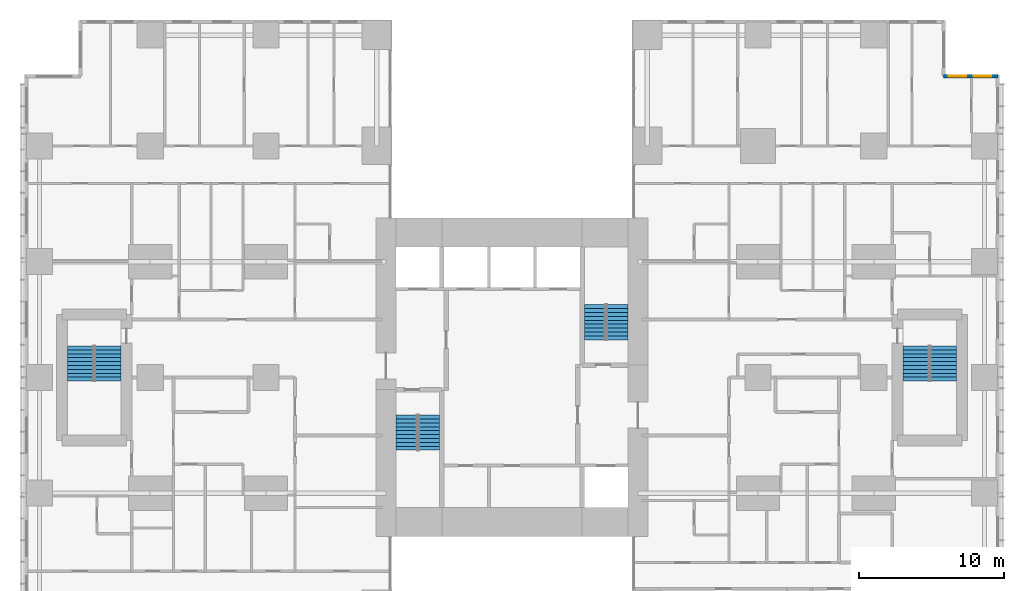
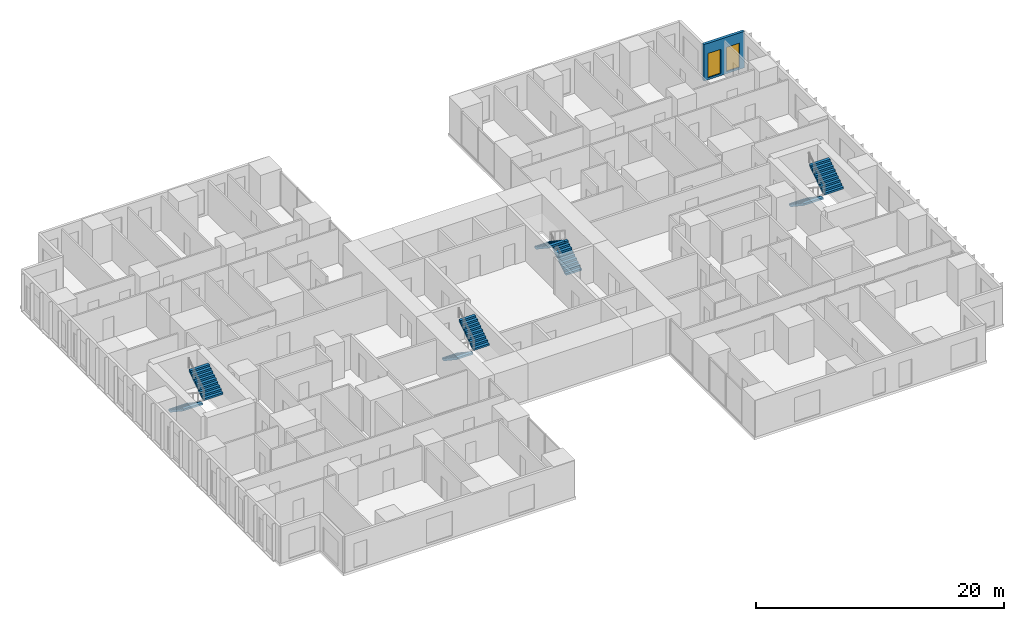
# One storey, part 19 of 20: 8 stair flights, 2 windows, 1 wall, 2 openings, 4 elements without a shape of their own.
"""IFC4 building model written with IfcOpenShell, lengths in metres."""

import ifcopenshell
import ifcopenshell.guid

model = None  # the IFC model being written
_history = None  # IfcOwnerHistory: only IFC2X3 demands one
_inside = {}  # id of a spatial element -> (the spatial element, [elements in it])
_under = {}  # id of a project, library or spatial element -> (it, [spatial elements below it])
_declared = {}  # id of a project -> (the project, [libraries it declares])
_typed = {}  # id of a type object -> (the type object, [elements of that type])
_made_of = {}  # id of a material, layer set ... -> (it, [elements and type objects made of it])


def new_model(schema):
    """Start an empty IFC model of exactly this schema.

    Asked for "IFC4X3", IfcOpenShell would pick the latest addendum, in which some entities
    have other attributes; the version numbers below select the first issue.
    IFC2X3 requires an IfcOwnerHistory on every rooted entity: one is made here for all.
    """
    global model, _history
    if schema == "IFC4X3":
        model = ifcopenshell.file(schema_version=(4, 3, 0, 0))
    else:
        model = ifcopenshell.file(schema=schema)
    _inside.clear()
    _under.clear()
    _declared.clear()
    _typed.clear()
    _made_of.clear()
    _history = None
    if model.schema == "IFC2X3":
        org = make("IfcOrganization", Name="unknown")
        user = make(
            "IfcPersonAndOrganization",
            ThePerson=make("IfcPerson", FamilyName="unknown"),
            TheOrganization=org,
        )
        app = make(
            "IfcApplication",
            ApplicationDeveloper=org,
            Version="unknown",
            ApplicationFullName="unknown",
            ApplicationIdentifier="unknown",
        )
        _history = make(
            "IfcOwnerHistory",
            OwningUser=user,
            OwningApplication=app,
            ChangeAction="ADDED",
            CreationDate=0,
        )
    return model


def make(cls, **values):
    """One entity of the class cls with the attributes given. An attribute that is None is left unset."""
    return model.create_entity(
        cls, **{name: value for name, value in values.items() if value is not None}
    )


def rooted(cls, **values):
    """An entity with a GlobalId (a new one), such as an element, a storey or a relation."""
    return make(cls, GlobalId=ifcopenshell.guid.new(), OwnerHistory=_history, **values)


def si_unit(unit_type, name, prefix=None):
    """IfcSIUnit, for example si_unit("LENGTHUNIT", "METRE", prefix="MILLI")."""
    return make("IfcSIUnit", UnitType=unit_type, Prefix=prefix, Name=name)


def assignment(units):
    """IfcUnitAssignment: the units of a project."""
    return None if units is None else make("IfcUnitAssignment", Units=units)


def point(xyz):
    """IfcCartesianPoint."""
    return None if xyz is None else make("IfcCartesianPoint", Coordinates=xyz)


def direction(xyz):
    """IfcDirection."""
    return None if xyz is None else make("IfcDirection", DirectionRatios=xyz)


def frame(location, z_axis=None, x_axis=None):
    """IfcAxis2Placement3D, a coordinate frame: its origin and axes. An axis left out is left unset."""
    return make(
        "IfcAxis2Placement3D",
        Location=point(location),
        Axis=direction(z_axis),
        RefDirection=direction(x_axis),
    )


def frame_2d(location, x_axis=None):
    """IfcAxis2Placement2D, a coordinate frame in the plane: its origin and x axis."""
    return make(
        "IfcAxis2Placement2D", Location=point(location), RefDirection=direction(x_axis)
    )


def origin():
    """The frame at (0, 0, 0) with its axes left unset."""
    return frame((0.0, 0.0, 0.0))


def place(relative_to, where):
    """IfcLocalPlacement: puts the frame where relative to a parent placement (None: the world)."""
    return make(
        "IfcLocalPlacement", PlacementRelTo=relative_to, RelativePlacement=where
    )


def context(
    kind, dimensions, precision=None, world=None, true_north=None, identifier=None
):
    """IfcGeometricRepresentationContext, for example the 3D "Model" context."""
    return make(
        "IfcGeometricRepresentationContext",
        ContextIdentifier=identifier,
        ContextType=kind,
        CoordinateSpaceDimension=dimensions,
        Precision=precision,
        WorldCoordinateSystem=world,
        TrueNorth=true_north,
    )


def subcontext(parent, identifier, kind, view, scale=None):
    """IfcGeometricRepresentationSubContext, for example "Body" below "Model"."""
    return make(
        "IfcGeometricRepresentationSubContext",
        ContextIdentifier=identifier,
        ContextType=kind,
        ParentContext=parent,
        TargetScale=scale,
        TargetView=view,
    )


def project(units=None, contexts=None):
    """IfcProject with its units and contexts."""
    return rooted(
        "IfcProject",
        Name="project",
        RepresentationContexts=contexts,
        UnitsInContext=assignment(units),
    )


def spatial(cls, under=None, at=None, **own):
    """A site, building, storey or space (cls), placed at a placement, below another one or the project."""
    s = rooted(cls, ObjectPlacement=at, **own)
    if under is not None:
        _under.setdefault(under.id(), (under, []))[1].append(s)
    return s


def polyline(points):
    """IfcPolyline through the points."""
    return make("IfcPolyline", Points=[point(p) for p in points])


def profile(cls, at=None, kind="AREA", **sizes):
    """A parametric profile (cls). Its sizes go by their IFC names, for example OverallWidth=200.0."""
    return make(cls, ProfileType=kind, Position=at, **sizes)


def rectangle(**sizes):
    """IfcRectangleProfileDef."""
    return profile("IfcRectangleProfileDef", **sizes)


def outline(outer, holes=None, kind="AREA"):
    """IfcArbitraryClosedProfileDef: a profile drawn as a closed curve; with holes, ...WithVoids."""
    if holes is None:
        return make("IfcArbitraryClosedProfileDef", ProfileType=kind, OuterCurve=outer)
    return make(
        "IfcArbitraryProfileDefWithVoids",
        ProfileType=kind,
        OuterCurve=outer,
        InnerCurves=holes,
    )


def extrude(swept, where, along, depth):
    """IfcExtrudedAreaSolid: the profile swept, set in the frame where, extruded along a direction by depth."""
    return make(
        "IfcExtrudedAreaSolid",
        SweptArea=swept,
        Position=where,
        ExtrudedDirection=direction(along),
        Depth=depth,
    )


def shape(context_of_items, identifier, shape_type, items):
    """IfcShapeRepresentation: the items that make up one representation, for example the "Body"."""
    return make(
        "IfcShapeRepresentation",
        ContextOfItems=context_of_items,
        RepresentationIdentifier=identifier,
        RepresentationType=shape_type,
        Items=items,
    )


def material(Name=None, Category=None):
    """IfcMaterial."""
    return make("IfcMaterial", Name=Name, Category=Category)


def layer(
    of_material, thickness, ventilated=None, Name=None, Category=None, Priority=None
):
    """IfcMaterialLayer: one layer of a wall or slab, of a material (None: an air gap)."""
    return make(
        "IfcMaterialLayer",
        Material=of_material,
        LayerThickness=thickness,
        IsVentilated=ventilated,
        Name=Name,
        Category=Category,
        Priority=Priority,
    )


def layer_set(layers, Name=None):
    """IfcMaterialLayerSet."""
    return make("IfcMaterialLayerSet", MaterialLayers=layers, LayerSetName=Name)


def made_of(thing, what):
    """Note that an element or type object is made of a material, layer set ...; save() writes the relation."""
    if what is not None:
        _made_of.setdefault(what.id(), (what, []))[1].append(thing)
    return thing


def type_object(cls, material=None, **own):
    """A type object (cls), such as IfcWallType, which elements share."""
    return made_of(rooted(cls, **own), material)


def element(
    cls,
    number,
    at=None,
    inside=None,
    cuts=None,
    type_object=None,
    material=None,
    context=None,
    identifier="Body",
    shape_type=None,
    held_by="IfcProductDefinitionShape",
    body=None,
    shapes=None,
    **own,
):
    """One element of the class cls, such as IfcWall. Its Tag is "e" and its number.

    at: its placement. inside: the storey or other place that contains it. cuts: it is an
    opening in that element (IfcRelVoidsElement). A single representation is given by context,
    identifier, shape_type and body (its items); several are given by shapes. held_by: the class
    of the entity that holds the representations. save() writes the other relations.
    """
    e = rooted(cls, Tag="e%d" % number, ObjectPlacement=at, **own)
    if body is not None:
        shapes = [shape(context, identifier, shape_type, body)]
    if shapes is not None:
        e.Representation = make(held_by, Representations=shapes)
    if inside is not None:
        _inside.setdefault(inside.id(), (inside, []))[1].append(e)
    if cuts is not None:
        rooted(
            "IfcRelVoidsElement", RelatingBuildingElement=cuts, RelatedOpeningElement=e
        )
    if type_object is not None:
        _typed.setdefault(type_object.id(), (type_object, []))[1].append(e)
    return made_of(e, material)


def fill(opening, filler):
    """IfcRelFillsElement: the door or window that sits in an opening."""
    return rooted(
        "IfcRelFillsElement",
        RelatingOpeningElement=opening,
        RelatedBuildingElement=filler,
    )


def aggregate(whole, parts):
    """IfcRelAggregates: a whole, such as a stair, and the parts it consists of."""
    return rooted("IfcRelAggregates", RelatingObject=whole, RelatedObjects=parts)


def save(model, path):
    """Write the relations noted so far, then the file.

    IfcRelAggregates (storeys below a building ...), IfcRelContainedInSpatialStructure (elements
    in a storey), IfcRelDefinesByType, IfcRelAssociatesMaterial and IfcRelDeclares: one each for
    every whole, place, type object, material and project.
    """
    for whole, parts in _under.values():
        aggregate(whole, parts)
    for where, things in _inside.values():
        rooted(
            "IfcRelContainedInSpatialStructure",
            RelatedElements=things,
            RelatingStructure=where,
        )
    for kind, things in _typed.values():
        rooted("IfcRelDefinesByType", RelatedObjects=things, RelatingType=kind)
    for what, things in _made_of.values():
        rooted("IfcRelAssociatesMaterial", RelatedObjects=things, RelatingMaterial=what)
    for by, libraries in _declared.values():
        rooted("IfcRelDeclares", RelatingContext=by, RelatedDefinitions=libraries)
    model.write(path)


model = new_model("IFC4")

# Units and contexts
model_context = context("Model", 3, precision=1e-05, world=origin(), true_north=direction((0.0, 1.0)))
body_context = subcontext(model_context, "Body", "Model", "MODEL_VIEW")
ifc_project = project(units=[si_unit("LENGTHUNIT", "METRE"), si_unit("AREAUNIT", "SQUARE_METRE"), si_unit("VOLUMEUNIT", "CUBIC_METRE"), si_unit("PLANEANGLEUNIT", "RADIAN"), si_unit("MASSUNIT", "GRAM", prefix="KILO")], contexts=[model_context])

# Site, building, storey
site_placement = place(None, origin())
site = spatial("IfcSite", under=ifc_project, at=site_placement, CompositionType="ELEMENT")
building_placement = place(site_placement, origin())
building = spatial("IfcBuilding", under=site, at=building_placement, Name="Cleftline Residences", CompositionType="ELEMENT")
storey_placement = place(building_placement, frame((0.0, 0.0, 185.800048828125)))
storey = spatial("IfcBuildingStorey", under=building, at=storey_placement, Name="L48", CompositionType="ELEMENT", Elevation=185.800048828125)

# Wall, openings, windows
ifc_material_1 = material(Name="Rendered reinforced concrete blockwork", Category="masonry")
ifc_layer = layer(ifc_material_1, 0.25)
ifc_layer_set = layer_set([ifc_layer], Name="EXTERNAL WALL 250")
wall_type = type_object("IfcWallType", Name="EXTERNAL WALL 250", PredefinedType="SOLIDWALL", material=ifc_layer_set)
wall_placement = place(storey_placement, frame((66.574951171875, 44.824951171875, 0.0), z_axis=(0.0, 0.0, 1.0), x_axis=(-1.0, 0.0, 0.0)))
wall = element("IfcWall", 1, at=wall_placement, inside=storey, type_object=wall_type, Name="External wall", PredefinedType="SOLIDWALL", context=body_context, shape_type="SweptSolid", body=[
    extrude(rectangle(XDim=3.75, YDim=0.25, at=frame_2d((1.875, 0.0))), origin(), (0.0, 0.0, 1.0), 3.599853515625),
])
opening_1_placement = place(wall_placement, frame((0.449951171875, 0.0, 0.199951171875)))
opening_1 = element("IfcOpeningElement", 2, at=opening_1_placement, cuts=wall, Name="Opening W13", PredefinedType="OPENING", context=body_context, shape_type="SweptSolid", body=[
    extrude(rectangle(XDim=1.199951171875, YDim=2.39990234375, at=frame_2d((0.60009765625, 1.199951171875))), frame((0.0, 0.135009765625, 0.0), z_axis=(0.0, -1.0, 0.0), x_axis=(1.0, 0.0, 0.0)), (0.0, 0.0, 1.0), 0.27001953125),
])
opening_2_placement = place(wall_placement, frame((2.1875, 0.0, 0.199951171875)))
opening_2 = element("IfcOpeningElement", 3, at=opening_2_placement, cuts=wall, Name="Opening W13", PredefinedType="OPENING", context=body_context, shape_type="SweptSolid", body=[
    extrude(rectangle(XDim=1.199951171875, YDim=2.39990234375, at=frame_2d((0.60009765625, 1.199951171875))), frame((0.0, 0.135009765625, 0.0), z_axis=(0.0, -1.0, 0.0), x_axis=(1.0, 0.0, 0.0)), (0.0, 0.0, 1.0), 0.27001953125),
])
ifc_material_2 = material(Name="Aluminium frame, clear double glazing", Category="aluminium")
window_type = type_object("IfcWindowType", Name="WINDOW 1200X2400", PartitioningType="DOUBLE_PANEL_VERTICAL", PredefinedType="WINDOW", material=ifc_material_2)
window_1_placement = place(opening_1_placement, origin())
window_1 = element("IfcWindow", 4, at=window_1_placement, inside=storey, type_object=window_type, Name="Window", OverallHeight=2.39990234375, OverallWidth=1.199951171875, PartitioningType="SINGLE_PANEL", PredefinedType="WINDOW", context=body_context, shape_type="SweptSolid", body=[
    extrude(rectangle(XDim=1.199951171875, YDim=2.39990234375, at=frame_2d((0.60009765625, 1.199951171875))), frame((0.0, 0.030029296875, 0.0), z_axis=(0.0, -1.0, 0.0), x_axis=(1.0, 0.0, 0.0)), (0.0, 0.0, 1.0), 0.06005859375),
])
fill(opening_1, window_1)
window_2_placement = place(opening_2_placement, origin())
window_2 = element("IfcWindow", 5, at=window_2_placement, inside=storey, type_object=window_type, Name="Window", OverallHeight=2.39990234375, OverallWidth=1.199951171875, PartitioningType="SINGLE_PANEL", PredefinedType="WINDOW", context=body_context, shape_type="SweptSolid", body=[
    extrude(rectangle(XDim=1.199951171875, YDim=2.39990234375, at=frame_2d((0.60009765625, 1.199951171875))), frame((0.0, 0.030029296875, 0.0), z_axis=(0.0, -1.0, 0.0), x_axis=(1.0, 0.0, 0.0)), (0.0, 0.0, 1.0), 0.06005859375),
])
fill(opening_2, window_2)

# Stair, stair flights
ifc_material_3 = material(Name="Concrete B45, stone treads", Category="masonry")
stair_type_1 = type_object("IfcStairType", Name="STAIR A 1450 WIDE 180 RISER", PredefinedType="HALF_TURN_STAIR", material=ifc_material_3)
stair_1_placement = place(storey_placement, origin())
stair_1 = element("IfcStair", 6, at=stair_1_placement, inside=storey, type_object=stair_type_1, Name="Stair A L48", PredefinedType="HALF_TURN_STAIR")
ifc_material_4 = material(Name="Concrete B45", Category="concrete")
stair_flight_type_1 = type_object("IfcStairFlightType", Name="STAIR A FLIGHT 1450X180", PredefinedType="STRAIGHT", material=ifc_material_4)
stair_flight_1_placement = place(storey_placement, frame((25.72509765625, 21.39990234375, 0.0), z_axis=(0.0, 0.0, 1.0), x_axis=(0.0, -1.0, 0.0)))
stair_flight_1 = element("IfcStairFlight", 7, at=stair_flight_1_placement, type_object=stair_flight_type_1, Name="ST-A flight 1", NumberOfRisers=10, NumberOfTreads=9, PredefinedType="STRAIGHT", RiserHeight=0.18, TreadLength=0.27, context=body_context, shape_type="SweptSolid", body=[
    extrude(outline(polyline([(0.0, 0.0), (0.0, 0.013916015625), (0.0, 0.027587890625), (0.0, 0.04150390625), (0.0, 0.055419921875), (0.0, 0.0693359375), (0.0, 0.0830078125), (0.0, 0.096923828125), (0.0, 0.11083984375), (0.0, 0.12451171875), (0.0, 0.138427734375), (0.0, 0.15234375), (0.0, 0.166259765625), (0.0, 0.179931640625), (0.27001953125, 0.179931640625), (0.27001953125, 0.360107421875), (0.5400390625, 0.360107421875), (0.5400390625, 0.5400390625), (0.81005859375, 0.5400390625), (0.81005859375, 0.719970703125), (1.080078125, 0.719970703125), (1.080078125, 0.89990234375), (1.35009765625, 0.89990234375), (1.35009765625, 1.080078125), (1.6201171875, 1.080078125), (1.6201171875, 1.260009765625), (1.889892578125, 1.260009765625), (1.889892578125, 1.43994140625), (2.159912109375, 1.43994140625), (2.159912109375, 1.6201171875), (2.429931640625, 1.6201171875), (2.429931640625, 1.800048828125), (2.429931640625, 1.772216796875), (2.429931640625, 1.74462890625), (2.429931640625, 1.716796875), (2.429931640625, 1.689208984375), (2.429931640625, 1.661376953125), (2.429931640625, 1.6337890625), (2.429931640625, 1.60595703125), (2.429931640625, 1.578369140625), (2.429931640625, 1.550537109375), (2.429931640625, 1.52294921875), (2.429931640625, 1.495361328125), (2.429931640625, 1.467529296875), (2.429931640625, 1.43994140625), (0.270263671875, 0.0), (0.0, 0.0)])), frame((0.0, 0.72509765625, 0.0), z_axis=(0.0, -1.0, 0.0), x_axis=(1.0, 0.0, 0.0)), (0.0, 0.0, 1.0), 1.449951171875),
])
stair_flight_2_placement = place(storey_placement, frame((27.27490234375, 18.969970703125, 1.800048828125), z_axis=(0.0, 0.0, 1.0), x_axis=(0.0, 1.0, 0.0)))
stair_flight_2 = element("IfcStairFlight", 8, at=stair_flight_2_placement, type_object=stair_flight_type_1, Name="ST-A flight 2", NumberOfRisers=10, NumberOfTreads=9, PredefinedType="STRAIGHT", RiserHeight=0.18, TreadLength=0.27, context=body_context, shape_type="SweptSolid", body=[
    extrude(outline(polyline([(0.0, 0.0), (0.0, 0.013916015625), (0.0, 0.027587890625), (0.0, 0.04150390625), (0.0, 0.055419921875), (0.0, 0.0693359375), (0.0, 0.0830078125), (0.0, 0.096923828125), (0.0, 0.11083984375), (0.0, 0.12451171875), (0.0, 0.138427734375), (0.0, 0.15234375), (0.0, 0.166259765625), (0.0, 0.179931640625), (0.27001953125, 0.179931640625), (0.27001953125, 0.360107421875), (0.5400390625, 0.360107421875), (0.5400390625, 0.5400390625), (0.81005859375, 0.5400390625), (0.81005859375, 0.719970703125), (1.080078125, 0.719970703125), (1.080078125, 0.89990234375), (1.35009765625, 0.89990234375), (1.35009765625, 1.080078125), (1.6201171875, 1.080078125), (1.6201171875, 1.260009765625), (1.889892578125, 1.260009765625), (1.889892578125, 1.43994140625), (2.159912109375, 1.43994140625), (2.159912109375, 1.6201171875), (2.429931640625, 1.6201171875), (2.429931640625, 1.800048828125), (2.429931640625, 1.772216796875), (2.429931640625, 1.74462890625), (2.429931640625, 1.716796875), (2.429931640625, 1.689208984375), (2.429931640625, 1.661376953125), (2.429931640625, 1.6337890625), (2.429931640625, 1.60595703125), (2.429931640625, 1.578369140625), (2.429931640625, 1.550537109375), (2.429931640625, 1.52294921875), (2.429931640625, 1.495361328125), (2.429931640625, 1.467529296875), (2.429931640625, 1.43994140625), (0.270263671875, 0.0), (0.0, 0.0)])), frame((0.0, 0.72509765625, 0.0), z_axis=(0.0, -1.0, 0.0), x_axis=(1.0, 0.0, 0.0)), (0.0, 0.0, 1.0), 1.449951171875),
])
aggregate(stair_1, [stair_flight_1, stair_flight_2])

ifc_material_5 = material(Name="Concrete B45, stone treads", Category="masonry")
stair_type_2 = type_object("IfcStairType", Name="STAIR B 1450 WIDE 180 RISER", PredefinedType="HALF_TURN_STAIR", material=ifc_material_5)
stair_2_placement = place(storey_placement, origin())
stair_2 = element("IfcStair", 9, at=stair_2_placement, inside=storey, type_object=stair_type_2, Name="Stair B L48", PredefinedType="HALF_TURN_STAIR")
ifc_material_6 = material(Name="Concrete B45", Category="concrete")
stair_flight_type_2 = type_object("IfcStairFlightType", Name="STAIR B FLIGHT 1450X180", PredefinedType="STRAIGHT", material=ifc_material_6)
stair_flight_3_placement = place(storey_placement, frame((40.27490234375, 26.60009765625, 0.0), z_axis=(0.0, 0.0, 1.0), x_axis=(0.0, 1.0, 0.0)))
stair_flight_3 = element("IfcStairFlight", 10, at=stair_flight_3_placement, type_object=stair_flight_type_2, Name="ST-B flight 1", NumberOfRisers=10, NumberOfTreads=9, PredefinedType="STRAIGHT", RiserHeight=0.18, TreadLength=0.27, context=body_context, shape_type="SweptSolid", body=[
    extrude(outline(polyline([(0.0, 0.0), (0.0, 0.013916015625), (0.0, 0.027587890625), (0.0, 0.04150390625), (0.0, 0.055419921875), (0.0, 0.0693359375), (0.0, 0.0830078125), (0.0, 0.096923828125), (0.0, 0.11083984375), (0.0, 0.12451171875), (0.0, 0.138427734375), (0.0, 0.15234375), (0.0, 0.166259765625), (0.0, 0.179931640625), (0.27001953125, 0.179931640625), (0.27001953125, 0.360107421875), (0.5400390625, 0.360107421875), (0.5400390625, 0.5400390625), (0.81005859375, 0.5400390625), (0.81005859375, 0.719970703125), (1.080078125, 0.719970703125), (1.080078125, 0.89990234375), (1.35009765625, 0.89990234375), (1.35009765625, 1.080078125), (1.6201171875, 1.080078125), (1.6201171875, 1.260009765625), (1.889892578125, 1.260009765625), (1.889892578125, 1.43994140625), (2.159912109375, 1.43994140625), (2.159912109375, 1.6201171875), (2.429931640625, 1.6201171875), (2.429931640625, 1.800048828125), (2.429931640625, 1.772216796875), (2.429931640625, 1.74462890625), (2.429931640625, 1.716796875), (2.429931640625, 1.689208984375), (2.429931640625, 1.661376953125), (2.429931640625, 1.6337890625), (2.429931640625, 1.60595703125), (2.429931640625, 1.578369140625), (2.429931640625, 1.550537109375), (2.429931640625, 1.52294921875), (2.429931640625, 1.495361328125), (2.429931640625, 1.467529296875), (2.429931640625, 1.43994140625), (0.270263671875, 0.0), (0.0, 0.0)])), frame((0.0, 0.72509765625, 0.0), z_axis=(0.0, -1.0, 0.0), x_axis=(1.0, 0.0, 0.0)), (0.0, 0.0, 1.0), 1.449951171875),
])
stair_flight_4_placement = place(storey_placement, frame((38.72509765625, 29.030029296875, 1.800048828125), z_axis=(0.0, 0.0, 1.0), x_axis=(0.0, -1.0, 0.0)))
stair_flight_4 = element("IfcStairFlight", 11, at=stair_flight_4_placement, type_object=stair_flight_type_2, Name="ST-B flight 2", NumberOfRisers=10, NumberOfTreads=9, PredefinedType="STRAIGHT", RiserHeight=0.18, TreadLength=0.27, context=body_context, shape_type="SweptSolid", body=[
    extrude(outline(polyline([(0.0, 0.0), (0.0, 0.013916015625), (0.0, 0.027587890625), (0.0, 0.04150390625), (0.0, 0.055419921875), (0.0, 0.0693359375), (0.0, 0.0830078125), (0.0, 0.096923828125), (0.0, 0.11083984375), (0.0, 0.12451171875), (0.0, 0.138427734375), (0.0, 0.15234375), (0.0, 0.166259765625), (0.0, 0.179931640625), (0.27001953125, 0.179931640625), (0.27001953125, 0.360107421875), (0.5400390625, 0.360107421875), (0.5400390625, 0.5400390625), (0.81005859375, 0.5400390625), (0.81005859375, 0.719970703125), (1.080078125, 0.719970703125), (1.080078125, 0.89990234375), (1.35009765625, 0.89990234375), (1.35009765625, 1.080078125), (1.6201171875, 1.080078125), (1.6201171875, 1.260009765625), (1.889892578125, 1.260009765625), (1.889892578125, 1.43994140625), (2.159912109375, 1.43994140625), (2.159912109375, 1.6201171875), (2.429931640625, 1.6201171875), (2.429931640625, 1.800048828125), (2.429931640625, 1.772216796875), (2.429931640625, 1.74462890625), (2.429931640625, 1.716796875), (2.429931640625, 1.689208984375), (2.429931640625, 1.661376953125), (2.429931640625, 1.6337890625), (2.429931640625, 1.60595703125), (2.429931640625, 1.578369140625), (2.429931640625, 1.550537109375), (2.429931640625, 1.52294921875), (2.429931640625, 1.495361328125), (2.429931640625, 1.467529296875), (2.429931640625, 1.43994140625), (0.270263671875, 0.0), (0.0, 0.0)])), frame((0.0, 0.72509765625, 0.0), z_axis=(0.0, -1.0, 0.0), x_axis=(1.0, 0.0, 0.0)), (0.0, 0.0, 1.0), 1.449951171875),
])
aggregate(stair_2, [stair_flight_3, stair_flight_4])

ifc_material_7 = material(Name="Concrete B45, stone treads", Category="masonry")
stair_type_3 = type_object("IfcStairType", Name="STAIR E 1800 WIDE 180 RISER", PredefinedType="HALF_TURN_STAIR", material=ifc_material_7)
stair_3_placement = place(storey_placement, origin())
stair_3 = element("IfcStair", 12, at=stair_3_placement, inside=storey, type_object=stair_type_3, Name="Stair E L48", PredefinedType="HALF_TURN_STAIR")
ifc_material_8 = material(Name="Concrete B45", Category="concrete")
stair_flight_type_3 = type_object("IfcStairFlightType", Name="STAIR E FLIGHT 1800X180", PredefinedType="STRAIGHT", material=ifc_material_8)
stair_flight_5_placement = place(storey_placement, frame((60.925048828125, 26.175048828125, 0.0), z_axis=(0.0, 0.0, 1.0), x_axis=(0.0, -1.0, 0.0)))
stair_flight_5 = element("IfcStairFlight", 13, at=stair_flight_5_placement, type_object=stair_flight_type_3, Name="ST-E flight 1", NumberOfRisers=10, NumberOfTreads=9, PredefinedType="STRAIGHT", RiserHeight=0.18, TreadLength=0.27, context=body_context, shape_type="SweptSolid", body=[
    extrude(outline(polyline([(0.0, 0.0), (0.0, 0.013916015625), (0.0, 0.027587890625), (0.0, 0.04150390625), (0.0, 0.055419921875), (0.0, 0.0693359375), (0.0, 0.0830078125), (0.0, 0.096923828125), (0.0, 0.11083984375), (0.0, 0.12451171875), (0.0, 0.138427734375), (0.0, 0.15234375), (0.0, 0.166259765625), (0.0, 0.179931640625), (0.27001953125, 0.179931640625), (0.27001953125, 0.360107421875), (0.5400390625, 0.360107421875), (0.5400390625, 0.5400390625), (0.81005859375, 0.5400390625), (0.81005859375, 0.719970703125), (1.080078125, 0.719970703125), (1.080078125, 0.89990234375), (1.35009765625, 0.89990234375), (1.35009765625, 1.080078125), (1.6201171875, 1.080078125), (1.6201171875, 1.260009765625), (1.889892578125, 1.260009765625), (1.889892578125, 1.43994140625), (2.159912109375, 1.43994140625), (2.159912109375, 1.6201171875), (2.429931640625, 1.6201171875), (2.429931640625, 1.800048828125), (2.429931640625, 1.772216796875), (2.429931640625, 1.74462890625), (2.429931640625, 1.716796875), (2.429931640625, 1.689208984375), (2.429931640625, 1.661376953125), (2.429931640625, 1.6337890625), (2.429931640625, 1.60595703125), (2.429931640625, 1.578369140625), (2.429931640625, 1.550537109375), (2.429931640625, 1.52294921875), (2.429931640625, 1.495361328125), (2.429931640625, 1.467529296875), (2.429931640625, 1.43994140625), (0.270263671875, 0.0), (0.0, 0.0)])), frame((0.0, 0.89990234375, 0.0), z_axis=(0.0, -1.0, 0.0), x_axis=(1.0, 0.0, 0.0)), (0.0, 0.0, 1.0), 1.800048828125),
])
stair_flight_6_placement = place(storey_placement, frame((62.824951171875, 23.7451171875, 1.800048828125), z_axis=(0.0, 0.0, 1.0), x_axis=(0.0, 1.0, 0.0)))
stair_flight_6 = element("IfcStairFlight", 14, at=stair_flight_6_placement, type_object=stair_flight_type_3, Name="ST-E flight 2", NumberOfRisers=10, NumberOfTreads=9, PredefinedType="STRAIGHT", RiserHeight=0.18, TreadLength=0.27, context=body_context, shape_type="SweptSolid", body=[
    extrude(outline(polyline([(0.0, 0.0), (0.0, 0.013916015625), (0.0, 0.027587890625), (0.0, 0.04150390625), (0.0, 0.055419921875), (0.0, 0.0693359375), (0.0, 0.0830078125), (0.0, 0.096923828125), (0.0, 0.11083984375), (0.0, 0.12451171875), (0.0, 0.138427734375), (0.0, 0.15234375), (0.0, 0.166259765625), (0.0, 0.179931640625), (0.27001953125, 0.179931640625), (0.27001953125, 0.360107421875), (0.5400390625, 0.360107421875), (0.5400390625, 0.5400390625), (0.81005859375, 0.5400390625), (0.81005859375, 0.719970703125), (1.080078125, 0.719970703125), (1.080078125, 0.89990234375), (1.35009765625, 0.89990234375), (1.35009765625, 1.080078125), (1.6201171875, 1.080078125), (1.6201171875, 1.260009765625), (1.889892578125, 1.260009765625), (1.889892578125, 1.43994140625), (2.159912109375, 1.43994140625), (2.159912109375, 1.6201171875), (2.429931640625, 1.6201171875), (2.429931640625, 1.800048828125), (2.429931640625, 1.772216796875), (2.429931640625, 1.74462890625), (2.429931640625, 1.716796875), (2.429931640625, 1.689208984375), (2.429931640625, 1.661376953125), (2.429931640625, 1.6337890625), (2.429931640625, 1.60595703125), (2.429931640625, 1.578369140625), (2.429931640625, 1.550537109375), (2.429931640625, 1.52294921875), (2.429931640625, 1.495361328125), (2.429931640625, 1.467529296875), (2.429931640625, 1.43994140625), (0.270263671875, 0.0), (0.0, 0.0)])), frame((0.0, 0.89990234375, 0.0), z_axis=(0.0, -1.0, 0.0), x_axis=(1.0, 0.0, 0.0)), (0.0, 0.0, 1.0), 1.800048828125),
])
aggregate(stair_3, [stair_flight_5, stair_flight_6])

ifc_material_9 = material(Name="Concrete B45, stone treads", Category="masonry")
stair_type_4 = type_object("IfcStairType", Name="STAIR W 1800 WIDE 180 RISER", PredefinedType="HALF_TURN_STAIR", material=ifc_material_9)
stair_4_placement = place(storey_placement, origin())
stair_4 = element("IfcStair", 15, at=stair_4_placement, inside=storey, type_object=stair_type_4, Name="Stair W L48", PredefinedType="HALF_TURN_STAIR")
ifc_material_10 = material(Name="Concrete B45", Category="concrete")
stair_flight_type_4 = type_object("IfcStairFlightType", Name="STAIR W FLIGHT 1800X180", PredefinedType="STRAIGHT", material=ifc_material_10)
stair_flight_7_placement = place(storey_placement, frame((3.175048828125, 26.175048828125, 0.0), z_axis=(0.0, 0.0, 1.0), x_axis=(0.0, -1.0, 0.0)))
stair_flight_7 = element("IfcStairFlight", 16, at=stair_flight_7_placement, type_object=stair_flight_type_4, Name="ST-W flight 1", NumberOfRisers=10, NumberOfTreads=9, PredefinedType="STRAIGHT", RiserHeight=0.18, TreadLength=0.27, context=body_context, shape_type="SweptSolid", body=[
    extrude(outline(polyline([(0.0, 0.0), (0.0, 0.013916015625), (0.0, 0.027587890625), (0.0, 0.04150390625), (0.0, 0.055419921875), (0.0, 0.0693359375), (0.0, 0.0830078125), (0.0, 0.096923828125), (0.0, 0.11083984375), (0.0, 0.12451171875), (0.0, 0.138427734375), (0.0, 0.15234375), (0.0, 0.166259765625), (0.0, 0.179931640625), (0.27001953125, 0.179931640625), (0.27001953125, 0.360107421875), (0.5400390625, 0.360107421875), (0.5400390625, 0.5400390625), (0.81005859375, 0.5400390625), (0.81005859375, 0.719970703125), (1.080078125, 0.719970703125), (1.080078125, 0.89990234375), (1.35009765625, 0.89990234375), (1.35009765625, 1.080078125), (1.6201171875, 1.080078125), (1.6201171875, 1.260009765625), (1.889892578125, 1.260009765625), (1.889892578125, 1.43994140625), (2.159912109375, 1.43994140625), (2.159912109375, 1.6201171875), (2.429931640625, 1.6201171875), (2.429931640625, 1.800048828125), (2.429931640625, 1.772216796875), (2.429931640625, 1.74462890625), (2.429931640625, 1.716796875), (2.429931640625, 1.689208984375), (2.429931640625, 1.661376953125), (2.429931640625, 1.6337890625), (2.429931640625, 1.60595703125), (2.429931640625, 1.578369140625), (2.429931640625, 1.550537109375), (2.429931640625, 1.52294921875), (2.429931640625, 1.495361328125), (2.429931640625, 1.467529296875), (2.429931640625, 1.43994140625), (0.270263671875, 0.0), (0.0, 0.0)])), frame((0.0, 0.89990234375, 0.0), z_axis=(0.0, -1.0, 0.0), x_axis=(1.0, 0.0, 0.0)), (0.0, 0.0, 1.0), 1.800048828125),
])
stair_flight_8_placement = place(storey_placement, frame((5.074951171875, 23.7451171875, 1.800048828125), z_axis=(0.0, 0.0, 1.0), x_axis=(0.0, 1.0, 0.0)))
stair_flight_8 = element("IfcStairFlight", 17, at=stair_flight_8_placement, type_object=stair_flight_type_4, Name="ST-W flight 2", NumberOfRisers=10, NumberOfTreads=9, PredefinedType="STRAIGHT", RiserHeight=0.18, TreadLength=0.27, context=body_context, shape_type="SweptSolid", body=[
    extrude(outline(polyline([(0.0, 0.0), (0.0, 0.013916015625), (0.0, 0.027587890625), (0.0, 0.04150390625), (0.0, 0.055419921875), (0.0, 0.0693359375), (0.0, 0.0830078125), (0.0, 0.096923828125), (0.0, 0.11083984375), (0.0, 0.12451171875), (0.0, 0.138427734375), (0.0, 0.15234375), (0.0, 0.166259765625), (0.0, 0.179931640625), (0.27001953125, 0.179931640625), (0.27001953125, 0.360107421875), (0.5400390625, 0.360107421875), (0.5400390625, 0.5400390625), (0.81005859375, 0.5400390625), (0.81005859375, 0.719970703125), (1.080078125, 0.719970703125), (1.080078125, 0.89990234375), (1.35009765625, 0.89990234375), (1.35009765625, 1.080078125), (1.6201171875, 1.080078125), (1.6201171875, 1.260009765625), (1.889892578125, 1.260009765625), (1.889892578125, 1.43994140625), (2.159912109375, 1.43994140625), (2.159912109375, 1.6201171875), (2.429931640625, 1.6201171875), (2.429931640625, 1.800048828125), (2.429931640625, 1.772216796875), (2.429931640625, 1.74462890625), (2.429931640625, 1.716796875), (2.429931640625, 1.689208984375), (2.429931640625, 1.661376953125), (2.429931640625, 1.6337890625), (2.429931640625, 1.60595703125), (2.429931640625, 1.578369140625), (2.429931640625, 1.550537109375), (2.429931640625, 1.52294921875), (2.429931640625, 1.495361328125), (2.429931640625, 1.467529296875), (2.429931640625, 1.43994140625), (0.270263671875, 0.0), (0.0, 0.0)])), frame((0.0, 0.89990234375, 0.0), z_axis=(0.0, -1.0, 0.0), x_axis=(1.0, 0.0, 0.0)), (0.0, 0.0, 1.0), 1.800048828125),
])
aggregate(stair_4, [stair_flight_7, stair_flight_8])

save(model, "model.ifc")
